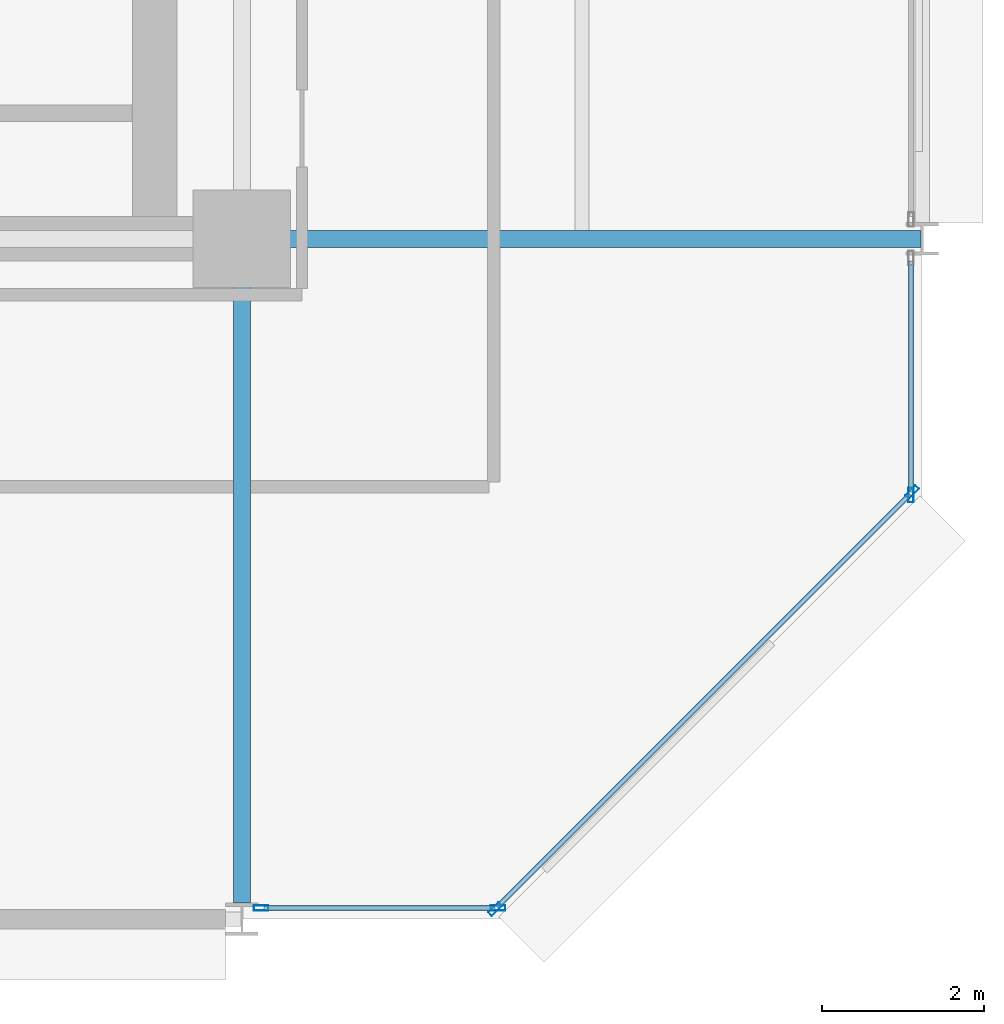
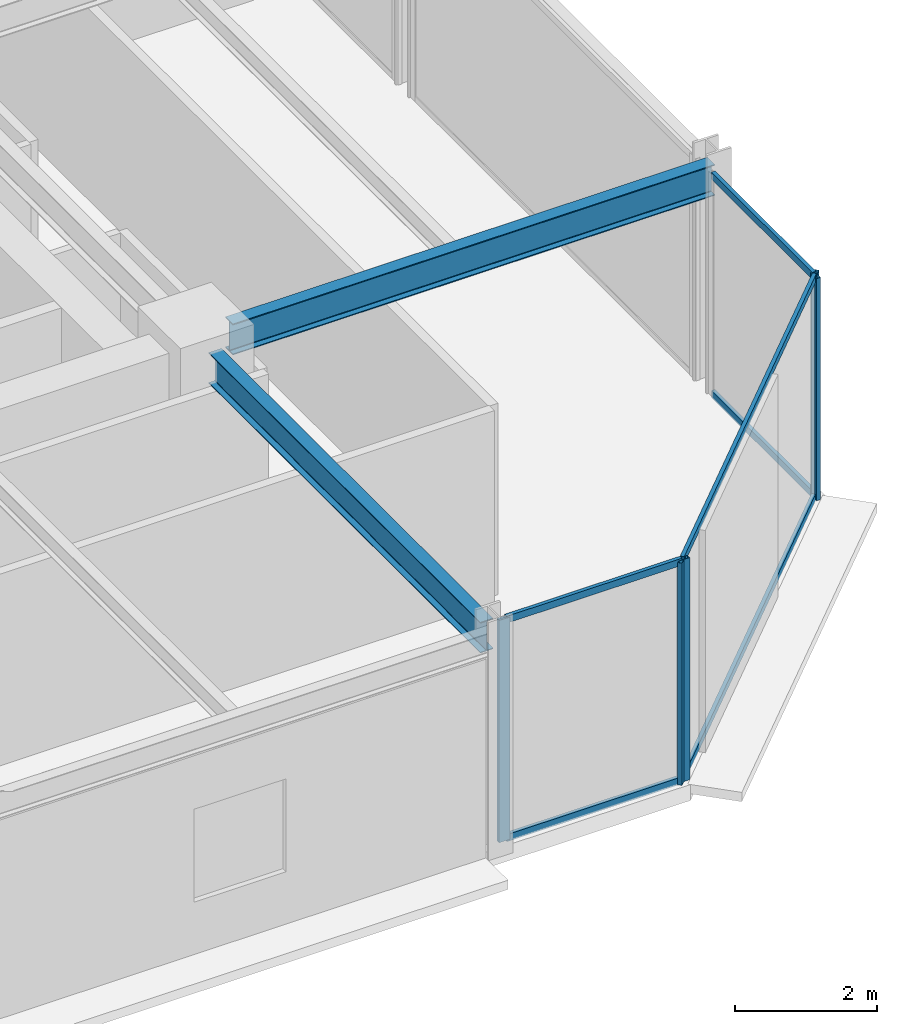
# One storey, part 13 of 30: 11 members, 2 beams, 3 elements without a shape of their own.
"""IFC4 building model written with IfcOpenShell, lengths in metres."""

from ifc_helpers import new_model, si_unit, direction, frame, origin, origin_2d, place, context, subcontext, project, spatial, hollow_rectangle, i_section, extrude, material, layer, layer_set, material_profile, profile_set, type_object, element, aggregate, save


model = new_model("IFC4")

# Units and contexts
model_context = context("Model", 3, precision=1e-05, world=origin(), true_north=direction((0.0, 1.0)))
body_context = subcontext(model_context, "Body", "Model", "MODEL_VIEW")
ifc_project = project(units=[si_unit("LENGTHUNIT", "METRE"), si_unit("AREAUNIT", "SQUARE_METRE"), si_unit("VOLUMEUNIT", "CUBIC_METRE"), si_unit("PLANEANGLEUNIT", "RADIAN"), si_unit("MASSUNIT", "GRAM", prefix="KILO")], contexts=[model_context])

# Site, building, storey
site_placement = place(None, origin())
site = spatial("IfcSite", under=ifc_project, at=site_placement, CompositionType="ELEMENT")
building_placement = place(site_placement, origin())
building = spatial("IfcBuilding", under=site, at=building_placement, Name="Nerrivon Quay Data Exchange", CompositionType="ELEMENT")
storey_placement = place(building_placement, frame((0.0, 0.0, 141.800048828125)))
storey = spatial("IfcBuildingStorey", under=building, at=storey_placement, Name="L33", CompositionType="ELEMENT", Elevation=141.800048828125)

# Beams
ifc_material_1 = material(Name="Steel Grade 350", Category="steel")
ifc_material_profile_1 = material_profile(ifc_material_1, i_section(OverallWidth=0.208984375, OverallDepth=0.532958984375, WebThickness=0.01025390625, FlangeThickness=0.015625, FilletRadius=0.013916015625, at=origin_2d()), Name="530UB92.4")
ifc_profile_set_1 = profile_set([ifc_material_profile_1], Name="Steel Grade 350")
beam_type_1 = type_object("IfcBeamType", Name="BM-G3-530UB92", PredefinedType="BEAM", material=ifc_profile_set_1)
beam_1_placement = place(storey_placement, frame((34.139892578125, 8.39990234375, 3.558349609375), z_axis=(1.0, 0.0, 0.0), x_axis=(0.0, 1.0, 0.0)))
element("IfcBeam", 1, at=beam_1_placement, inside=storey, type_object=beam_type_1, Name="L33 EW Girder Y=8.4 (33.6..42.0)", PredefinedType="BEAM", context=body_context, shape_type="SweptSolid", body=[
    extrude(i_section(OverallWidth=0.208984375, OverallDepth=0.532958984375, WebThickness=0.01025390625, FlangeThickness=0.015625, FilletRadius=0.013916015625, at=origin_2d()), origin(), (0.0, 0.0, 1.0), 7.84765625),
])
ifc_material_profile_2 = material_profile(ifc_material_1, i_section(OverallWidth=0.208984375, OverallDepth=0.528076171875, WebThickness=0.009521484375, FlangeThickness=0.01318359375, FilletRadius=0.013916015625, at=origin_2d()), Name="530UB82.0")
ifc_profile_set_2 = profile_set([ifc_material_profile_2], Name="Steel Grade 350")
beam_type_2 = type_object("IfcBeamType", Name="BM-G4-530UB82", PredefinedType="BEAM", material=ifc_profile_set_2)
beam_2_placement = place(storey_placement, frame((33.60009765625, 0.199951171875, 3.56103515625), z_axis=(0.0, 1.0, 0.0), x_axis=(-1.0, 0.0, 0.0)))
element("IfcBeam", 2, at=beam_2_placement, inside=storey, type_object=beam_type_2, Name="L33 NS Girder X=33.6 (0.0..8.4)", PredefinedType="BEAM", context=body_context, shape_type="SweptSolid", body=[
    extrude(i_section(OverallWidth=0.208984375, OverallDepth=0.528076171875, WebThickness=0.009521484375, FlangeThickness=0.01318359375, FilletRadius=0.013916015625, at=origin_2d()), origin(), (0.0, 0.0, 1.0), 7.66015625),
])

# Curtain wall, members
ifc_material_2 = material(Name="Anodised aluminium 6063-T6", Category="aluminium")
ifc_layer = layer(ifc_material_2, 0.2099609375)
ifc_layer_set = layer_set([ifc_layer], Name="Anodised aluminium 6063-T6")
curtain_wall_type = type_object("IfcCurtainWallType", Name="CW-SYS-02", PredefinedType="NOTDEFINED", material=ifc_layer_set)
curtain_wall_1_placement = place(storey_placement, origin())
curtain_wall_1 = element("IfcCurtainWall", 3, at=curtain_wall_1_placement, inside=storey, type_object=curtain_wall_type, Name="L33 Unitised Curtain Wall 1", PredefinedType="NOTDEFINED")
ifc_material_profile_3 = material_profile(ifc_material_2, hollow_rectangle(XDim=0.06494140625, YDim=0.179931640625, WallThickness=0.00341796875, at=origin_2d()), Name="ALU-MULL-180x65")
ifc_profile_set_3 = profile_set([ifc_material_profile_3], Name="Anodised aluminium 6063-T6")
member_type_1 = type_object("IfcMemberType", Name="CWM-180x65", PredefinedType="MULLION", material=ifc_profile_set_3)
member_1_placement = place(storey_placement, frame((41.87451171875, 5.2724609375, 0.0), z_axis=(0.0, 0.0, 1.0), x_axis=(0.707106781187, -0.707106781187, 0.0)))
member_1 = element("IfcMember", 4, at=member_1_placement, type_object=member_type_1, Name="CW02 mullion 1", PredefinedType="MULLION", context=body_context, shape_type="SweptSolid", body=[
    extrude(hollow_rectangle(XDim=0.06494140625, YDim=0.179931640625, WallThickness=0.00341796875, at=origin_2d()), origin(), (0.0, 0.0, 1.0), 3.824951171875),
])
member_2_placement = place(storey_placement, frame((36.7275390625, 0.12548828125, 0.0), z_axis=(0.0, 0.0, 1.0), x_axis=(0.707106781187, -0.707106781187, 0.0)))
member_2 = element("IfcMember", 5, at=member_2_placement, type_object=member_type_1, Name="CW02 mullion 2", PredefinedType="MULLION", context=body_context, shape_type="SweptSolid", body=[
    extrude(hollow_rectangle(XDim=0.06494140625, YDim=0.179931640625, WallThickness=0.00341796875, at=origin_2d()), origin(), (0.0, 0.0, 1.0), 3.824951171875),
])

curtain_wall_2_placement = place(storey_placement, origin())
curtain_wall_2 = element("IfcCurtainWall", 6, at=curtain_wall_2_placement, inside=storey, type_object=curtain_wall_type, Name="L33 Unitised Curtain Wall 2", PredefinedType="NOTDEFINED")
member_3_placement = place(storey_placement, frame((36.762451171875, 0.139892578125, 0.0), z_axis=(0.0, 0.0, 1.0), x_axis=(0.0, -1.0, 0.0)))
member_3 = element("IfcMember", 7, at=member_3_placement, type_object=member_type_1, Name="CW02 mullion 1", PredefinedType="MULLION", context=body_context, shape_type="SweptSolid", body=[
    extrude(hollow_rectangle(XDim=0.06494140625, YDim=0.179931640625, WallThickness=0.00341796875, at=origin_2d()), origin(), (0.0, 0.0, 1.0), 3.824951171875),
])
member_4_placement = place(storey_placement, frame((33.83740234375, 0.139892578125, 0.0), z_axis=(0.0, 0.0, 1.0), x_axis=(0.0, -1.0, 0.0)))
member_4 = element("IfcMember", 8, at=member_4_placement, type_object=member_type_1, Name="CW02 mullion 2", PredefinedType="MULLION", context=body_context, shape_type="SweptSolid", body=[
    extrude(hollow_rectangle(XDim=0.06494140625, YDim=0.179931640625, WallThickness=0.00341796875, at=origin_2d()), origin(), (0.0, 0.0, 1.0), 3.824951171875),
])

# Curtain wall, member
curtain_wall_3_placement = place(storey_placement, origin())
curtain_wall_3 = element("IfcCurtainWall", 9, at=curtain_wall_3_placement, inside=storey, type_object=curtain_wall_type, Name="L33 Unitised Curtain Wall 30", PredefinedType="NOTDEFINED")
member_5_placement = place(storey_placement, frame((41.860107421875, 5.237548828125, 0.0), z_axis=(0.0, 0.0, 1.0), x_axis=(1.0, 0.0, 0.0)))
member_5 = element("IfcMember", 10, at=member_5_placement, type_object=member_type_1, Name="CW02 mullion 2", PredefinedType="MULLION", context=body_context, shape_type="SweptSolid", body=[
    extrude(hollow_rectangle(XDim=0.06494140625, YDim=0.179931640625, WallThickness=0.00341796875, at=origin_2d()), origin(), (0.0, 0.0, 1.0), 3.824951171875),
])

# Member
ifc_material_profile_4 = material_profile(ifc_material_2, hollow_rectangle(XDim=0.06005859375, YDim=0.1201171875, WallThickness=0.003173828125, at=origin_2d()), Name="ALU-TRAN-120x60")
ifc_profile_set_4 = profile_set([ifc_material_profile_4], Name="Anodised aluminium 6063-T6")
member_type_2 = type_object("IfcMemberType", Name="CWT-120x60", PredefinedType="USERDEFINED", material=ifc_profile_set_4)
member_6_placement = place(storey_placement, frame((41.847900390625, 5.245849609375, 0.032470703125), z_axis=(-0.707106781187, -0.707106781187, 0.0), x_axis=(0.707106781187, -0.707106781187, 0.0)))
member_6 = element("IfcMember", 11, at=member_6_placement, type_object=member_type_2, Name="CW02 transom 1.1", ObjectType="TRANSOM", PredefinedType="USERDEFINED", context=body_context, shape_type="SweptSolid", body=[
    extrude(hollow_rectangle(XDim=0.06005859375, YDim=0.1201171875, WallThickness=0.003173828125, at=origin_2d()), origin(), (0.0, 0.0, 1.0), 7.20361328125),
])

member_7_placement = place(storey_placement, frame((41.847900390625, 5.245849609375, 3.79248046875), z_axis=(-0.707106781187, -0.707106781187, 0.0), x_axis=(0.707106781187, -0.707106781187, 0.0)))
member_7 = element("IfcMember", 12, at=member_7_placement, type_object=member_type_2, Name="CW02 transom 1.2", ObjectType="TRANSOM", PredefinedType="USERDEFINED", context=body_context, shape_type="SweptSolid", body=[
    extrude(hollow_rectangle(XDim=0.06005859375, YDim=0.1201171875, WallThickness=0.003173828125, at=origin_2d()), origin(), (0.0, 0.0, 1.0), 7.20361328125),
])

aggregate(curtain_wall_1, [member_1, member_2, member_6, member_7])

member_8_placement = place(storey_placement, frame((36.72509765625, 0.139892578125, 0.032470703125), z_axis=(-1.0, 0.0, 0.0), x_axis=(0.0, -1.0, 0.0)))
member_8 = element("IfcMember", 13, at=member_8_placement, type_object=member_type_2, Name="CW02 transom 1.1", ObjectType="TRANSOM", PredefinedType="USERDEFINED", context=body_context, shape_type="SweptSolid", body=[
    extrude(hollow_rectangle(XDim=0.06005859375, YDim=0.1201171875, WallThickness=0.003173828125, at=origin_2d()), origin(), (0.0, 0.0, 1.0), 2.85009765625),
])

member_9_placement = place(storey_placement, frame((36.72509765625, 0.139892578125, 3.79248046875), z_axis=(-1.0, 0.0, 0.0), x_axis=(0.0, -1.0, 0.0)))
member_9 = element("IfcMember", 14, at=member_9_placement, type_object=member_type_2, Name="CW02 transom 1.2", ObjectType="TRANSOM", PredefinedType="USERDEFINED", context=body_context, shape_type="SweptSolid", body=[
    extrude(hollow_rectangle(XDim=0.06005859375, YDim=0.1201171875, WallThickness=0.003173828125, at=origin_2d()), origin(), (0.0, 0.0, 1.0), 2.85009765625),
])

aggregate(curtain_wall_2, [member_3, member_4, member_8, member_9])

member_10_placement = place(storey_placement, frame((41.860107421875, 8.125, 0.032470703125), z_axis=(0.0, -1.0, 0.0), x_axis=(1.0, 0.0, 0.0)))
member_10 = element("IfcMember", 15, at=member_10_placement, type_object=member_type_2, Name="CW02 transom 1.1", ObjectType="TRANSOM", PredefinedType="USERDEFINED", context=body_context, shape_type="SweptSolid", body=[
    extrude(hollow_rectangle(XDim=0.06005859375, YDim=0.1201171875, WallThickness=0.003173828125, at=origin_2d()), origin(), (0.0, 0.0, 1.0), 2.85009765625),
])

member_11_placement = place(storey_placement, frame((41.860107421875, 8.125, 3.79248046875), z_axis=(0.0, -1.0, 0.0), x_axis=(1.0, 0.0, 0.0)))
member_11 = element("IfcMember", 16, at=member_11_placement, type_object=member_type_2, Name="CW02 transom 1.2", ObjectType="TRANSOM", PredefinedType="USERDEFINED", context=body_context, shape_type="SweptSolid", body=[
    extrude(hollow_rectangle(XDim=0.06005859375, YDim=0.1201171875, WallThickness=0.003173828125, at=origin_2d()), origin(), (0.0, 0.0, 1.0), 2.85009765625),
])

aggregate(curtain_wall_3, [member_5, member_10, member_11])

save(model, "model.ifc")
